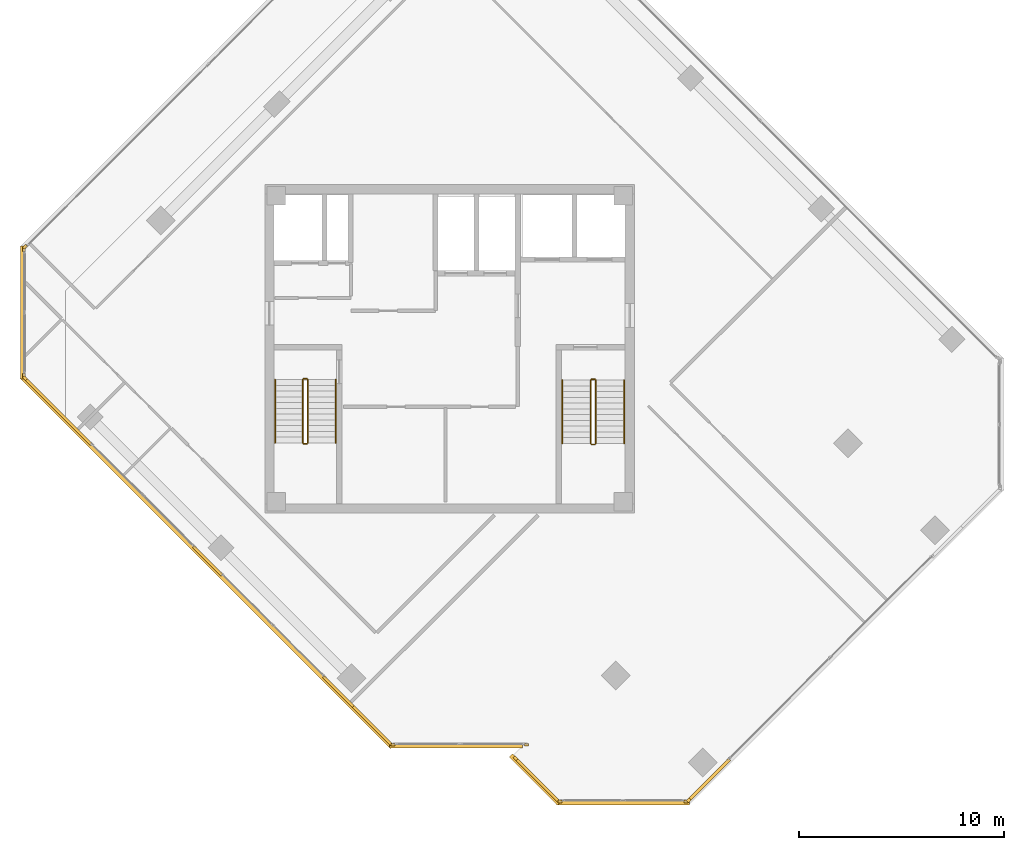
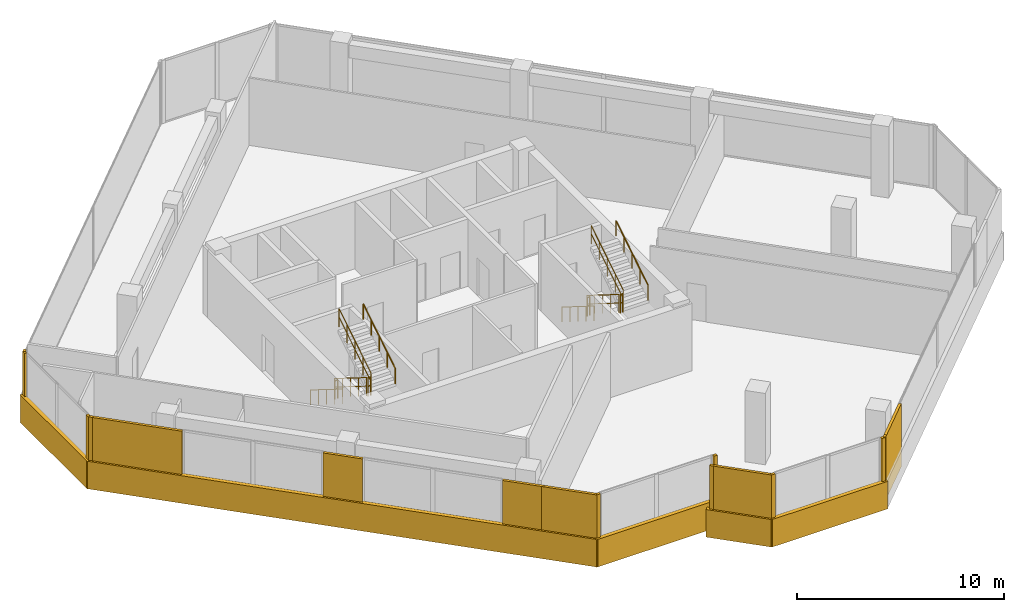
# One storey, part 16 of 18: 21 coverings, 12 railings.
"""IFC4 building model written with IfcOpenShell, lengths in metres."""

from ifc_helpers import new_model, si_unit, direction, frame, origin, origin_2d, place, context, subcontext, project, spatial, rectangle, circle, extrude, source, transform, mapped, material, layer, layer_set, type_object, element, save


model = new_model("IFC4")

# Units and contexts
model_context = context("Model", 3, precision=1e-05, world=origin(), true_north=direction((0.0, 1.0)))
body_context = subcontext(model_context, "Body", "Model", "MODEL_VIEW")
ifc_project = project(units=[si_unit("LENGTHUNIT", "METRE"), si_unit("AREAUNIT", "SQUARE_METRE"), si_unit("VOLUMEUNIT", "CUBIC_METRE"), si_unit("PLANEANGLEUNIT", "RADIAN"), si_unit("MASSUNIT", "GRAM", prefix="KILO")], contexts=[model_context])

# Site, building, storey
site_placement = place(None, origin())
site = spatial("IfcSite", under=ifc_project, at=site_placement, CompositionType="ELEMENT")
building_placement = place(site_placement, origin())
building = spatial("IfcBuilding", under=site, at=building_placement, Name="Torre Montelarca", CompositionType="ELEMENT")
storey_placement = place(building_placement, frame((0.0, 0.0, 245.800048828125)))
storey = spatial("IfcBuildingStorey", under=building, at=storey_placement, Name="L55", CompositionType="ELEMENT", Elevation=245.800048828125)

# Railings
ifc_material_1 = material(Name="Powder-coated steel ASTM A500 Grade C", Category="steel")
railing_type_1 = type_object("IfcRailingType", Name="RL-GUARD-1100", PredefinedType="BALUSTRADE", material=ifc_material_1)
railing_1_placement = place(storey_placement, frame((10.85009765625, 30.5, 0.175048828125)))
element("IfcRailing", 1, at=railing_1_placement, inside=storey, type_object=railing_type_1, Name="L55 ST1 stair guard 1", PredefinedType="BALUSTRADE", context=body_context, shape_type="SweptSolid", body=[
    extrude(circle(Radius=0.02392578125, at=origin_2d()), frame((0.0, 0.0, 1.076171875), z_axis=(0.0, -0.848028513186, 0.529950602248), x_axis=(1.0, 0.0, 0.0)), (0.0, 0.0, 1.0), 3.632080078125),
    extrude(circle(Radius=0.02099609375, at=origin_2d()), frame((0.0, 0.0, 0.572021484375), z_axis=(0.0, -0.848028513186, 0.529950602248), x_axis=(1.0, 0.0, 0.0)), (0.0, 0.0, 1.0), 3.632080078125),
    extrude(circle(Radius=0.02099609375, at=origin_2d()), origin(), (0.0, 0.0, 1.0), 1.052001953125),
    extrude(circle(Radius=0.02099609375, at=origin_2d()), frame((0.0, -0.77001953125, 0.481201171875)), (0.0, 0.0, 1.0), 1.052001953125),
    extrude(circle(Radius=0.02099609375, at=origin_2d()), frame((0.0, -1.5400390625, 0.96240234375)), (0.0, 0.0, 1.0), 1.052001953125),
    extrude(circle(Radius=0.02099609375, at=origin_2d()), frame((0.0, -2.31005859375, 1.443603515625)), (0.0, 0.0, 1.0), 1.052001953125),
    extrude(circle(Radius=0.02099609375, at=origin_2d()), frame((0.0, -3.080078125, 1.9248046875)), (0.0, 0.0, 1.0), 1.052001953125),
])
railing_2_placement = place(storey_placement, frame((10.89990234375, 27.3701171875, 2.099853515625)))
element("IfcRailing", 2, at=railing_2_placement, inside=storey, type_object=railing_type_1, Name="L55 ST1 stair guard 2", PredefinedType="BALUSTRADE", context=body_context, shape_type="SweptSolid", body=[
    extrude(circle(Radius=0.02392578125, at=origin_2d()), frame((0.0, 0.0, 1.076171875), z_axis=(1.0, 0.0, 0.0), x_axis=(0.0, 1.0, 0.0)), (0.0, 0.0, 1.0), 0.150146484375),
    extrude(circle(Radius=0.02099609375, at=origin_2d()), frame((0.0, 0.0, 0.572021484375), z_axis=(1.0, 0.0, 0.0), x_axis=(0.0, 1.0, 0.0)), (0.0, 0.0, 1.0), 0.150146484375),
    extrude(circle(Radius=0.02099609375, at=origin_2d()), origin(), (0.0, 0.0, 1.0), 1.052001953125),
    extrude(circle(Radius=0.02099609375, at=origin_2d()), frame((0.150146484375, 0.0, 0.0)), (0.0, 0.0, 1.0), 1.052001953125),
])
railing_3_placement = place(storey_placement, frame((11.10009765625, 27.419921875, 2.27490234375)))
element("IfcRailing", 3, at=railing_3_placement, inside=storey, type_object=railing_type_1, Name="L55 ST1 stair guard 3", PredefinedType="BALUSTRADE", context=body_context, shape_type="SweptSolid", body=[
    extrude(circle(Radius=0.02392578125, at=origin_2d()), frame((0.0, 0.0, 1.076171875), z_axis=(0.0, 0.847998304005, 0.529998940003), x_axis=(-1.0, 0.0, 0.0)), (0.0, 0.0, 1.0), 3.632080078125),
    extrude(circle(Radius=0.02099609375, at=origin_2d()), frame((0.0, 0.0, 0.572021484375), z_axis=(0.0, 0.847998304005, 0.529998940003), x_axis=(-1.0, 0.0, 0.0)), (0.0, 0.0, 1.0), 3.632080078125),
    extrude(circle(Radius=0.02099609375, at=origin_2d()), origin(), (0.0, 0.0, 1.0), 1.052001953125),
    extrude(circle(Radius=0.02099609375, at=origin_2d()), frame((0.0, 0.77001953125, 0.481201171875)), (0.0, 0.0, 1.0), 1.052001953125),
    extrude(circle(Radius=0.02099609375, at=origin_2d()), frame((0.0, 1.5400390625, 0.96240234375)), (0.0, 0.0, 1.0), 1.052001953125),
    extrude(circle(Radius=0.02099609375, at=origin_2d()), frame((0.0, 2.31005859375, 1.44384765625)), (0.0, 0.0, 1.0), 1.052001953125),
    extrude(circle(Radius=0.02099609375, at=origin_2d()), frame((0.0, 3.080078125, 1.925048828125)), (0.0, 0.0, 1.0), 1.052001953125),
])
railing_4_placement = place(storey_placement, frame((10.89990234375, 30.550048828125, 0.0)))
element("IfcRailing", 4, at=railing_4_placement, inside=storey, type_object=railing_type_1, Name="L55 ST1 stair guard 4", PredefinedType="BALUSTRADE", context=body_context, shape_type="SweptSolid", body=[
    extrude(circle(Radius=0.02392578125, at=origin_2d()), frame((0.0, 0.0, 1.076171875), z_axis=(1.0, 0.0, 0.0), x_axis=(0.0, 1.0, 0.0)), (0.0, 0.0, 1.0), 0.150146484375),
    extrude(circle(Radius=0.02099609375, at=origin_2d()), frame((0.0, 0.0, 0.572021484375), z_axis=(1.0, 0.0, 0.0), x_axis=(0.0, 1.0, 0.0)), (0.0, 0.0, 1.0), 0.150146484375),
    extrude(circle(Radius=0.02099609375, at=origin_2d()), origin(), (0.0, 0.0, 1.0), 1.052001953125),
    extrude(circle(Radius=0.02099609375, at=origin_2d()), frame((0.150146484375, 0.0, 0.0)), (0.0, 0.0, 1.0), 1.052001953125),
])
railing_5_placement = place(storey_placement, frame((24.8701171875, 30.469970703125, 0.175048828125)))
element("IfcRailing", 5, at=railing_5_placement, inside=storey, type_object=railing_type_1, Name="L55 ST2 stair guard 1", PredefinedType="BALUSTRADE", context=body_context, shape_type="SweptSolid", body=[
    extrude(circle(Radius=0.02392578125, at=origin_2d()), frame((0.0, 0.0, 1.076171875), z_axis=(0.0, -0.848028513186, 0.529950602248), x_axis=(1.0, 0.0, 0.0)), (0.0, 0.0, 1.0), 3.632080078125),
    extrude(circle(Radius=0.02099609375, at=origin_2d()), frame((0.0, 0.0, 0.572021484375), z_axis=(0.0, -0.848028513186, 0.529950602248), x_axis=(1.0, 0.0, 0.0)), (0.0, 0.0, 1.0), 3.632080078125),
    extrude(circle(Radius=0.02099609375, at=origin_2d()), origin(), (0.0, 0.0, 1.0), 1.052001953125),
    extrude(circle(Radius=0.02099609375, at=origin_2d()), frame((0.0, -0.77001953125, 0.481201171875)), (0.0, 0.0, 1.0), 1.052001953125),
    extrude(circle(Radius=0.02099609375, at=origin_2d()), frame((0.0, -1.5400390625, 0.96240234375)), (0.0, 0.0, 1.0), 1.052001953125),
    extrude(circle(Radius=0.02099609375, at=origin_2d()), frame((0.0, -2.31005859375, 1.443603515625)), (0.0, 0.0, 1.0), 1.052001953125),
    extrude(circle(Radius=0.02099609375, at=origin_2d()), frame((0.0, -3.080078125, 1.9248046875)), (0.0, 0.0, 1.0), 1.052001953125),
])
railing_6_placement = place(storey_placement, frame((24.919921875, 27.340087890625, 2.099853515625)))
element("IfcRailing", 6, at=railing_6_placement, inside=storey, type_object=railing_type_1, Name="L55 ST2 stair guard 2", PredefinedType="BALUSTRADE", context=body_context, shape_type="SweptSolid", body=[
    extrude(circle(Radius=0.02392578125, at=origin_2d()), frame((0.0, 0.0, 1.076171875), z_axis=(1.0, 0.0, 0.0), x_axis=(0.0, 1.0, 0.0)), (0.0, 0.0, 1.0), 0.150146484375),
    extrude(circle(Radius=0.02099609375, at=origin_2d()), frame((0.0, 0.0, 0.572021484375), z_axis=(1.0, 0.0, 0.0), x_axis=(0.0, 1.0, 0.0)), (0.0, 0.0, 1.0), 0.150146484375),
    extrude(circle(Radius=0.02099609375, at=origin_2d()), origin(), (0.0, 0.0, 1.0), 1.052001953125),
    extrude(circle(Radius=0.02099609375, at=origin_2d()), frame((0.150146484375, 0.0, 0.0)), (0.0, 0.0, 1.0), 1.052001953125),
])
railing_7_placement = place(storey_placement, frame((25.1201171875, 27.389892578125, 2.27490234375)))
element("IfcRailing", 7, at=railing_7_placement, inside=storey, type_object=railing_type_1, Name="L55 ST2 stair guard 3", PredefinedType="BALUSTRADE", context=body_context, shape_type="SweptSolid", body=[
    extrude(circle(Radius=0.02392578125, at=origin_2d()), frame((0.0, 0.0, 1.076171875), z_axis=(0.0, 0.847998304005, 0.529998940003), x_axis=(-1.0, 0.0, 0.0)), (0.0, 0.0, 1.0), 3.632080078125),
    extrude(circle(Radius=0.02099609375, at=origin_2d()), frame((0.0, 0.0, 0.572021484375), z_axis=(0.0, 0.847998304005, 0.529998940003), x_axis=(-1.0, 0.0, 0.0)), (0.0, 0.0, 1.0), 3.632080078125),
    extrude(circle(Radius=0.02099609375, at=origin_2d()), origin(), (0.0, 0.0, 1.0), 1.052001953125),
    extrude(circle(Radius=0.02099609375, at=origin_2d()), frame((0.0, 0.77001953125, 0.481201171875)), (0.0, 0.0, 1.0), 1.052001953125),
    extrude(circle(Radius=0.02099609375, at=origin_2d()), frame((0.0, 1.5400390625, 0.96240234375)), (0.0, 0.0, 1.0), 1.052001953125),
    extrude(circle(Radius=0.02099609375, at=origin_2d()), frame((0.0, 2.31005859375, 1.44384765625)), (0.0, 0.0, 1.0), 1.052001953125),
    extrude(circle(Radius=0.02099609375, at=origin_2d()), frame((0.0, 3.080078125, 1.925048828125)), (0.0, 0.0, 1.0), 1.052001953125),
])
railing_8_placement = place(storey_placement, frame((24.919921875, 30.52001953125, 0.0)))
element("IfcRailing", 8, at=railing_8_placement, inside=storey, type_object=railing_type_1, Name="L55 ST2 stair guard 4", PredefinedType="BALUSTRADE", context=body_context, shape_type="SweptSolid", body=[
    extrude(circle(Radius=0.02392578125, at=origin_2d()), frame((0.0, 0.0, 1.076171875), z_axis=(1.0, 0.0, 0.0), x_axis=(0.0, 1.0, 0.0)), (0.0, 0.0, 1.0), 0.150146484375),
    extrude(circle(Radius=0.02099609375, at=origin_2d()), frame((0.0, 0.0, 0.572021484375), z_axis=(1.0, 0.0, 0.0), x_axis=(0.0, 1.0, 0.0)), (0.0, 0.0, 1.0), 0.150146484375),
    extrude(circle(Radius=0.02099609375, at=origin_2d()), origin(), (0.0, 0.0, 1.0), 1.052001953125),
    extrude(circle(Radius=0.02099609375, at=origin_2d()), frame((0.150146484375, 0.0, 0.0)), (0.0, 0.0, 1.0), 1.052001953125),
])
ifc_material_2 = material(Name="Brushed stainless steel AISI 316", Category="steel")
railing_type_2 = type_object("IfcRailingType", Name="RL-HANDRAIL-900", PredefinedType="HANDRAIL", material=ifc_material_2)
railing_9_placement = place(storey_placement, frame((9.5, 30.5, 0.175048828125)))
element("IfcRailing", 9, at=railing_9_placement, inside=storey, type_object=railing_type_2, Name="L55 ST1 stair handrail 1", PredefinedType="HANDRAIL", context=body_context, shape_type="SweptSolid", body=[
    extrude(circle(Radius=0.02392578125, at=origin_2d()), frame((0.0, 0.0, 0.8759765625), z_axis=(0.0, -0.848028513186, 0.529950602248), x_axis=(1.0, 0.0, 0.0)), (0.0, 0.0, 1.0), 3.632080078125),
    extrude(circle(Radius=0.02099609375, at=origin_2d()), origin(), (0.0, 0.0, 1.0), 0.851806640625),
    extrude(circle(Radius=0.02099609375, at=origin_2d()), frame((0.0, -0.77001953125, 0.481201171875)), (0.0, 0.0, 1.0), 0.851806640625),
    extrude(circle(Radius=0.02099609375, at=origin_2d()), frame((0.0, -1.5400390625, 0.96240234375)), (0.0, 0.0, 1.0), 0.851806640625),
    extrude(circle(Radius=0.02099609375, at=origin_2d()), frame((0.0, -2.31005859375, 1.443603515625)), (0.0, 0.0, 1.0), 0.851806640625),
    extrude(circle(Radius=0.02099609375, at=origin_2d()), frame((0.0, -3.080078125, 1.9248046875)), (0.0, 0.0, 1.0), 0.851806640625),
])
railing_10_placement = place(storey_placement, frame((12.449951171875, 27.419921875, 2.27490234375)))
element("IfcRailing", 10, at=railing_10_placement, inside=storey, type_object=railing_type_2, Name="L55 ST1 stair handrail 2", PredefinedType="HANDRAIL", context=body_context, shape_type="SweptSolid", body=[
    extrude(circle(Radius=0.02392578125, at=origin_2d()), frame((0.0, 0.0, 0.8759765625), z_axis=(0.0, 0.847998304005, 0.529998940003), x_axis=(-1.0, 0.0, 0.0)), (0.0, 0.0, 1.0), 3.632080078125),
    extrude(circle(Radius=0.02099609375, at=origin_2d()), origin(), (0.0, 0.0, 1.0), 0.851806640625),
    extrude(circle(Radius=0.02099609375, at=origin_2d()), frame((0.0, 0.77001953125, 0.481201171875)), (0.0, 0.0, 1.0), 0.851806640625),
    extrude(circle(Radius=0.02099609375, at=origin_2d()), frame((0.0, 1.5400390625, 0.96240234375)), (0.0, 0.0, 1.0), 0.851806640625),
    extrude(circle(Radius=0.02099609375, at=origin_2d()), frame((0.0, 2.31005859375, 1.44384765625)), (0.0, 0.0, 1.0), 0.851806640625),
    extrude(circle(Radius=0.02099609375, at=origin_2d()), frame((0.0, 3.080078125, 1.925048828125)), (0.0, 0.0, 1.0), 0.851806640625),
])
railing_11_placement = place(storey_placement, frame((23.489990234375, 30.469970703125, 0.175048828125)))
element("IfcRailing", 11, at=railing_11_placement, inside=storey, type_object=railing_type_2, Name="L55 ST2 stair handrail 1", PredefinedType="HANDRAIL", context=body_context, shape_type="SweptSolid", body=[
    extrude(circle(Radius=0.02392578125, at=origin_2d()), frame((0.0, 0.0, 0.8759765625), z_axis=(0.0, -0.848028513186, 0.529950602248), x_axis=(1.0, 0.0, 0.0)), (0.0, 0.0, 1.0), 3.632080078125),
    extrude(circle(Radius=0.02099609375, at=origin_2d()), origin(), (0.0, 0.0, 1.0), 0.851806640625),
    extrude(circle(Radius=0.02099609375, at=origin_2d()), frame((0.0, -0.77001953125, 0.481201171875)), (0.0, 0.0, 1.0), 0.851806640625),
    extrude(circle(Radius=0.02099609375, at=origin_2d()), frame((0.0, -1.5400390625, 0.96240234375)), (0.0, 0.0, 1.0), 0.851806640625),
    extrude(circle(Radius=0.02099609375, at=origin_2d()), frame((0.0, -2.31005859375, 1.443603515625)), (0.0, 0.0, 1.0), 0.851806640625),
    extrude(circle(Radius=0.02099609375, at=origin_2d()), frame((0.0, -3.080078125, 1.9248046875)), (0.0, 0.0, 1.0), 0.851806640625),
])
railing_12_placement = place(storey_placement, frame((26.5, 27.389892578125, 2.27490234375)))
element("IfcRailing", 12, at=railing_12_placement, inside=storey, type_object=railing_type_2, Name="L55 ST2 stair handrail 2", PredefinedType="HANDRAIL", context=body_context, shape_type="SweptSolid", body=[
    extrude(circle(Radius=0.02392578125, at=origin_2d()), frame((0.0, 0.0, 0.8759765625), z_axis=(0.0, 0.847998304005, 0.529998940003), x_axis=(-1.0, 0.0, 0.0)), (0.0, 0.0, 1.0), 3.632080078125),
    extrude(circle(Radius=0.02099609375, at=origin_2d()), origin(), (0.0, 0.0, 1.0), 0.851806640625),
    extrude(circle(Radius=0.02099609375, at=origin_2d()), frame((0.0, 0.77001953125, 0.481201171875)), (0.0, 0.0, 1.0), 0.851806640625),
    extrude(circle(Radius=0.02099609375, at=origin_2d()), frame((0.0, 1.5400390625, 0.96240234375)), (0.0, 0.0, 1.0), 0.851806640625),
    extrude(circle(Radius=0.02099609375, at=origin_2d()), frame((0.0, 2.31005859375, 1.44384765625)), (0.0, 0.0, 1.0), 0.851806640625),
    extrude(circle(Radius=0.02099609375, at=origin_2d()), frame((0.0, 3.080078125, 1.925048828125)), (0.0, 0.0, 1.0), 0.851806640625),
])

# Coverings
ifc_material_3 = material(Name="Bush-hammered warm white precast concrete C45/55", Category="concrete")
ifc_layer = layer(ifc_material_3, 0.139892578125, Name="Bush-hammered warm white precast concrete C45/55", Category="concrete")
ifc_layer_set = layer_set([ifc_layer], Name="Bush-hammered warm white precast concrete C45/55")
covering_type = type_object("IfcCoveringType", Name="COV-TRAY-CLAD", PredefinedType="CLADDING", material=ifc_layer_set)
shared_shape_1 = source(origin(), body_context, "Body", "SweptSolid", [
    extrude(rectangle(XDim=6.48388671875, YDim=0.219970703125, at=origin_2d()), origin(), (0.0, 0.0, 1.0), 1.6201171875),
])
for number, where, z_axis, x_axis, name in (
    (13, (18.318115234375, 12.6552734375, -0.4501953125), (0.0, 0.0, 1.0), (1.0, 0.0, 0.0), "L55 Architectural White Spandrel Tray Band TRYBOT-02"),
    (14, (26.44970703125, 9.897705078125, -0.4501953125), (0.0, 0.0, 1.0), (1.0, 0.0, 0.0), "L55 Architectural White Spandrel Tray Band TRYBOT-05"),
    (15, (-2.79443359375, 33.767578125, -0.4501953125), (0.0, 0.0, 1.0), (0.0, -1.0, 0.0), "L55 Architectural White Spandrel Tray Band TRYBOT-11"),
):
    element("IfcCovering", number, at=place(storey_placement, frame(where, z_axis=z_axis, x_axis=x_axis)), inside=storey, type_object=covering_type, Name=name, PredefinedType="CLADDING", context=body_context, shape_type="MappedRepresentation", body=[
        mapped(shared_shape_1, transform((0.0, 0.0, 0.0), scale=1.0)),
    ])
shared_shape_2 = source(origin(), body_context, "Body", "SweptSolid", [
    extrude(rectangle(XDim=25.52001953125, YDim=0.219970703125, at=origin_2d()), origin(), (0.0, 0.0, 1.0), 1.6201171875),
])
covering_1_placement = place(storey_placement, frame((6.177001953125, 21.626708984375, -0.4501953125), z_axis=(0.0, 0.0, 1.0), x_axis=(0.707106781187, -0.707106781187, 0.0)))
element("IfcCovering", 16, at=covering_1_placement, inside=storey, type_object=covering_type, Name="L55 Architectural White Spandrel Tray Band TRYBOT-01", PredefinedType="CLADDING", context=body_context, shape_type="MappedRepresentation", body=[
    mapped(shared_shape_2, transform((0.0, 0.0, 0.0), scale=1.0)),
])
shared_shape_3 = source(origin(), body_context, "Body", "SweptSolid", [
    extrude(rectangle(XDim=0.199951171875, YDim=0.139892578125, at=origin_2d()), origin(), (0.0, 0.0, 1.0), 3.719970703125),
])
for number, where, z_axis, x_axis, name in (
    (17, (-2.678955078125, 30.5673828125, 0.0), (0.0, 0.0, 1.0), (0.707106781187, -0.707106781187, 0.0), "L55 Architectural Column Pier Cladding E01-1"),
    (18, (15.251708984375, 12.71533203125, 0.0), (0.0, 0.0, 1.0), (1.0, 0.0, 0.0), "L55 Architectural Column Pier Cladding E02-1"),
    (19, (21.751708984375, 12.71533203125, 0.0), (0.0, 0.0, 1.0), (1.0, 0.0, 0.0), "L55 Architectural Column Pier Cladding E02-2"),
    (20, (21.204345703125, 12.05810546875, 0.0), (0.0, 0.0, 1.0), (0.707124058854, -0.707089503097, 0.0), "L55 Architectural Column Pier Cladding E04-1"),
    (21, (23.383544921875, 9.95751953125, 0.0), (0.0, 0.0, 1.0), (1.0, 0.0, 0.0), "L55 Architectural Column Pier Cladding E05-1"),
    (22, (29.515869140625, 9.95751953125, 0.0), (0.0, 0.0, 1.0), (1.0, 0.0, 0.0), "L55 Architectural Column Pier Cladding E05-2"),
    (23, (29.64990234375, 10.01318359375, 0.0), (0.0, 0.0, 1.0), (0.707106781187, 0.707106781187, 0.0), "L55 Architectural Column Pier Cladding E06-1"),
    (24, (-2.678955078125, 36.968017578125, 0.0), (0.0, 0.0, 1.0), (-0.707104312914, -0.707109249451, 0.0), "L55 Architectural Column Pier Cladding E10-2"),
    (25, (-2.734619140625, 36.833984375, 0.0), (0.0, 0.0, 1.0), (0.0, -1.0, 0.0), "L55 Architectural Column Pier Cladding E11-1"),
    (26, (-2.734619140625, 30.70166015625, 0.0), (0.0, 0.0, 1.0), (0.0, -1.0, 0.0), "L55 Architectural Column Pier Cladding E11-2"),
):
    element("IfcCovering", number, at=place(storey_placement, frame(where, z_axis=z_axis, x_axis=x_axis)), inside=storey, type_object=covering_type, Name=name, PredefinedType="CLADDING", context=body_context, shape_type="MappedRepresentation", body=[
        mapped(shared_shape_3, transform((0.0, 0.0, 0.0), scale=1.0)),
    ])
shared_shape_4 = source(origin(), body_context, "Body", "SweptSolid", [
    extrude(rectangle(XDim=2.06005859375, YDim=0.139892578125, at=origin_2d()), origin(), (0.0, 0.0, 1.0), 3.719970703125),
])
covering_2_placement = place(storey_placement, frame((12.58349609375, 15.30517578125, 0.0), z_axis=(0.0, 0.0, 1.0), x_axis=(0.707106781187, -0.707106781187, 0.0)))
element("IfcCovering", 27, at=covering_2_placement, inside=storey, type_object=covering_type, Name="L55 Architectural Column Pier Cladding E01-4", PredefinedType="CLADDING", context=body_context, shape_type="MappedRepresentation", body=[
    mapped(shared_shape_4, transform((0.0, 0.0, 0.0), scale=1.0)),
])
shared_shape_5 = source(origin(), body_context, "Body", "SweptSolid", [
    extrude(rectangle(XDim=3.320068359375, YDim=0.219970703125, at=origin_2d()), origin(), (0.0, 0.0, 1.0), 1.6201171875),
])
covering_3_placement = place(storey_placement, frame((22.15771484375, 11.020263671875, -0.4501953125), z_axis=(0.0, 0.0, 1.0), x_axis=(0.707122824748, -0.707090737261, 0.0)))
element("IfcCovering", 28, at=covering_3_placement, inside=storey, type_object=covering_type, Name="L55 Architectural White Spandrel Tray Band TRYBOT-04", PredefinedType="CLADDING", context=body_context, shape_type="MappedRepresentation", body=[
    mapped(shared_shape_5, transform((0.0, 0.0, 0.0), scale=1.0)),
])
shared_shape_6 = source(origin(), body_context, "Body", "SweptSolid", [
    extrude(rectangle(XDim=2.9921875, YDim=0.139892578125, at=origin_2d()), origin(), (0.0, 0.0, 1.0), 3.719970703125),
])
covering_4_placement = place(storey_placement, frame((22.26220703125, 11.000244140625, 0.0), z_axis=(0.0, 0.0, 1.0), x_axis=(0.707124058854, -0.707089503097, 0.0)))
element("IfcCovering", 29, at=covering_4_placement, inside=storey, type_object=covering_type, Name="L55 Architectural Column Pier Cladding E04-2", PredefinedType="CLADDING", context=body_context, shape_type="MappedRepresentation", body=[
    mapped(shared_shape_6, transform((0.0, 0.0, 0.0), scale=1.0)),
])
shared_shape_7 = source(origin(), body_context, "Body", "SweptSolid", [
    extrude(rectangle(XDim=4.564208984375, YDim=0.139892578125, at=origin_2d()), origin(), (0.0, 0.0, 1.0), 3.719970703125),
])
covering_5_placement = place(storey_placement, frame((-1.065185546875, 28.953857421875, 0.0), z_axis=(0.0, 0.0, 1.0), x_axis=(0.707106781187, -0.707106781187, 0.0)))
element("IfcCovering", 30, at=covering_5_placement, inside=storey, type_object=covering_type, Name="L55 Architectural Column Pier Cladding E01-2", PredefinedType="CLADDING", context=body_context, shape_type="MappedRepresentation", body=[
    mapped(shared_shape_7, transform((0.0, 0.0, 0.0), scale=1.0)),
])
shared_shape_8 = source(origin(), body_context, "Body", "SweptSolid", [
    extrude(rectangle(XDim=1.9599609375, YDim=0.139892578125, at=origin_2d()), origin(), (0.0, 0.0, 1.0), 3.719970703125),
])
covering_6_placement = place(storey_placement, frame((6.219482421875, 21.669189453125, 0.0), z_axis=(0.0, 0.0, 1.0), x_axis=(0.707106781187, -0.707106781187, 0.0)))
element("IfcCovering", 31, at=covering_6_placement, inside=storey, type_object=covering_type, Name="L55 Architectural Column Pier Cladding E01-3", PredefinedType="CLADDING", context=body_context, shape_type="MappedRepresentation", body=[
    mapped(shared_shape_8, transform((0.0, 0.0, 0.0), scale=1.0)),
])
shared_shape_9 = source(origin(), body_context, "Body", "SweptSolid", [
    extrude(rectangle(XDim=2.75390625, YDim=0.139892578125, at=origin_2d()), origin(), (0.0, 0.0, 1.0), 3.719970703125),
])
covering_7_placement = place(storey_placement, frame((14.214599609375, 13.673828125, 0.0), z_axis=(0.0, 0.0, 1.0), x_axis=(0.707106781187, -0.707106781187, 0.0)))
element("IfcCovering", 32, at=covering_7_placement, inside=storey, type_object=covering_type, Name="L55 Architectural Column Pier Cladding E01-5", PredefinedType="CLADDING", context=body_context, shape_type="MappedRepresentation", body=[
    mapped(shared_shape_9, transform((0.0, 0.0, 0.0), scale=1.0)),
])
shared_shape_10 = source(origin(), body_context, "Body", "SweptSolid", [
    extrude(rectangle(XDim=2.814208984375, YDim=0.139892578125, at=origin_2d()), origin(), (0.0, 0.0, 1.0), 3.719970703125),
])
covering_8_placement = place(storey_placement, frame((30.64501953125, 11.008056640625, 0.0), z_axis=(0.0, 0.0, 1.0), x_axis=(0.707106781187, 0.707106781187, 0.0)))
element("IfcCovering", 33, at=covering_8_placement, inside=storey, type_object=covering_type, Name="L55 Architectural Column Pier Cladding E06-2", PredefinedType="CLADDING", context=body_context, shape_type="MappedRepresentation", body=[
    mapped(shared_shape_10, transform((0.0, 0.0, 0.0), scale=1.0)),
])

save(model, "model.ifc")
